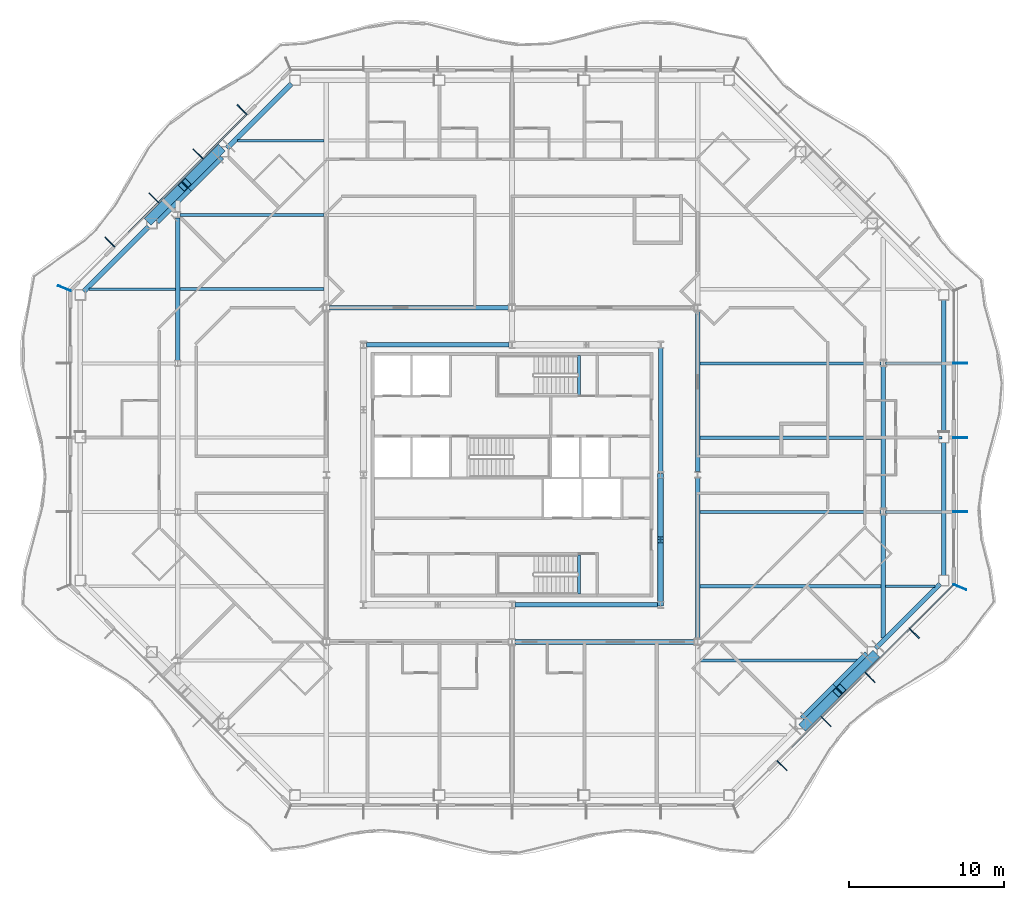
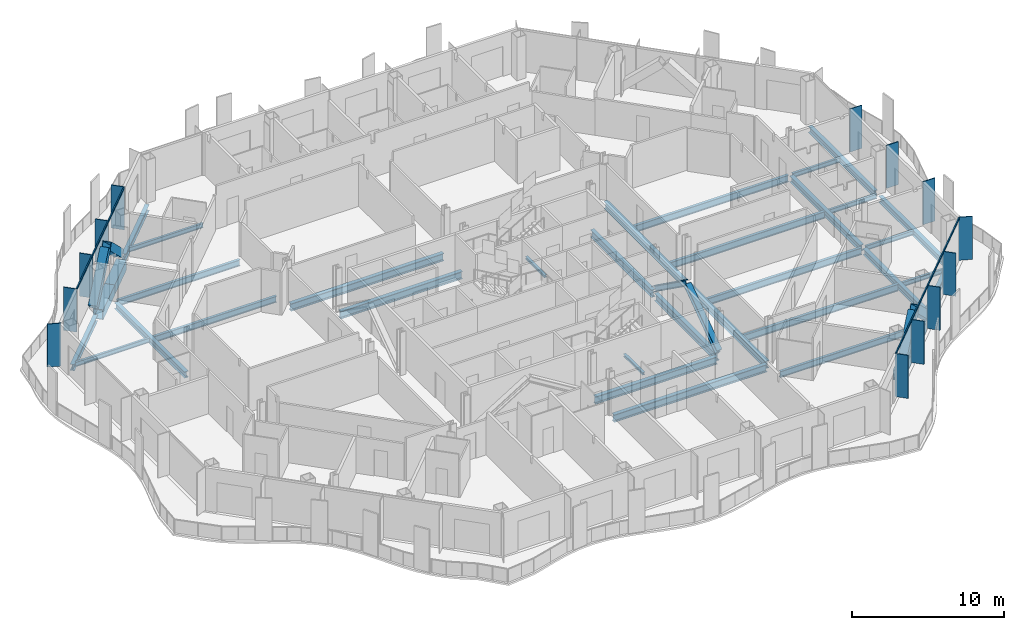
# One storey, part 4 of 21: 35 beams, 26 members, 4 elements without a shape of their own.
"""IFC4 building model written with IfcOpenShell, lengths in metres."""

from ifc_helpers import new_model, si_unit, direction, frame, origin, origin_2d, place, context, subcontext, project, spatial, rectangle, hollow_rectangle, i_section, extrude, material, material_profile, profile_set, type_object, element, aggregate, save


model = new_model("IFC4")

# Units and contexts
model_context = context("Model", 3, precision=1e-05, world=origin(), true_north=direction((0.0, 1.0)))
body_context = subcontext(model_context, "Body", "Model", "MODEL_VIEW")
ifc_project = project(units=[si_unit("LENGTHUNIT", "METRE"), si_unit("AREAUNIT", "SQUARE_METRE"), si_unit("VOLUMEUNIT", "CUBIC_METRE"), si_unit("PLANEANGLEUNIT", "RADIAN"), si_unit("MASSUNIT", "GRAM", prefix="KILO")], contexts=[model_context])

# Site, building, storey
site_placement = place(None, origin())
site = spatial("IfcSite", under=ifc_project, at=site_placement, CompositionType="ELEMENT")
building_placement = place(site_placement, origin())
building = spatial("IfcBuilding", under=site, at=building_placement, Name="Cairn Pilgrim Tower", CompositionType="ELEMENT")
storey_placement = place(building_placement, frame((0.0, 0.0, 143.39990234375)))
storey = spatial("IfcBuildingStorey", under=building, at=storey_placement, Name="L35", CompositionType="ELEMENT", Elevation=143.39990234375)

# Members
ifc_material_1 = material(Name="Structural steel S460M", Category="steel")
ifc_material_profile_1 = material_profile(ifc_material_1, hollow_rectangle(XDim=0.60009765625, YDim=0.60009765625, WallThickness=0.034912109375, at=origin_2d()), Name="BOX 600x600x35")
ifc_profile_set_1 = profile_set([ifc_material_profile_1], Name="Structural steel S460M")
member_type_1 = type_object("IfcMemberType", Name="BOX 600x600x35 BRACE", PredefinedType="BRACE", material=ifc_profile_set_1)
member_1_placement = place(storey_placement, frame((26.08837890625, -13.813720703125, 0.150146484375), z_axis=(0.53557713953, 0.53557713953, 0.652927450201), x_axis=(-0.707106781187, 0.707106781187, 0.0)))
element("IfcMember", 1, at=member_1_placement, inside=storey, type_object=member_type_1, Name="XB-SE2-SE3-1", PredefinedType="BRACE", context=body_context, shape_type="SweptSolid", body=[
    extrude(hollow_rectangle(XDim=0.60009765625, YDim=0.60009765625, WallThickness=0.034912109375, at=origin_2d()), origin(), (0.0, 0.0, 1.0), 4.0361328125),
])
for number, where, z_axis, x_axis, name in (
    (2, (30.613525390625, -9.288330078125, 0.150146484375), (-0.535533998665, -0.535594490476, 0.652948602913), (0.707146713802, -0.707066846316, 0.0), "XB-SE2-SE3-2"),
    (3, (-11.6884765625, 23.41357421875, 0.150146484375), (-0.535551349337, -0.535551349337, 0.652969757681), (0.707106781187, -0.707106781187, 0.0), "XB-NW2-NW3-1"),
    (4, (-16.213623046875, 18.888427734375, 0.150146484375), (0.535594490476, 0.535533998665, 0.652948602913), (-0.707066846316, 0.707146713802, 0.0), "XB-NW2-NW3-2"),
):
    element("IfcMember", number, at=place(storey_placement, frame(where, z_axis=z_axis, x_axis=x_axis)), inside=storey, type_object=member_type_1, Name=name, PredefinedType="BRACE", context=body_context, shape_type="SweptSolid", body=[
        extrude(hollow_rectangle(XDim=0.60009765625, YDim=0.60009765625, WallThickness=0.034912109375, at=origin_2d()), origin(), (0.0, 0.0, 1.0), 4.035888671875),
    ])

# Beams
ifc_material_2 = material(Name="Structural steel S355J2", Category="steel")
ifc_material_profile_2 = material_profile(ifc_material_2, hollow_rectangle(XDim=0.699951171875, YDim=0.800048828125, WallThickness=0.0400390625, at=origin_2d()), Name="BOX 700x800x40")
ifc_profile_set_2 = profile_set([ifc_material_profile_2], Name="Structural steel S355J2")
beam_type_1 = type_object("IfcBeamType", Name="BOX 700x800x40 RING GIRDER", PredefinedType="SPANDREL", material=ifc_profile_set_2)
for number, where, z_axis, x_axis, name in (
    (5, (26.07421875, -13.452880859375, -0.5498046875), (0.707106781187, 0.707106781187, 0.0), (-0.707106781187, 0.707106781187, 0.0), "RG2-SE2-SE3-1"),
    (6, (28.16357421875, -11.363525390625, -0.5498046875), (0.707106781187, 0.707106781187, 0.0), (-0.707106781187, 0.707106781187, 0.0), "RG2-SE2-SE3-2"),
    (7, (-11.67431640625, 23.052978515625, -0.5498046875), (-0.707106781187, -0.707106781187, 0.0), (0.707106781187, -0.707106781187, 0.0), "RG2-NW2-NW3-1"),
    (8, (-13.763671875, 20.963623046875, -0.5498046875), (-0.707106781187, -0.707106781187, 0.0), (0.707106781187, -0.707106781187, 0.0), "RG2-NW2-NW3-2"),
):
    element("IfcBeam", number, at=place(storey_placement, frame(where, z_axis=z_axis, x_axis=x_axis)), inside=storey, type_object=beam_type_1, Name=name, PredefinedType="SPANDREL", context=body_context, shape_type="SweptSolid", body=[
        extrude(hollow_rectangle(XDim=0.699951171875, YDim=0.800048828125, WallThickness=0.0400390625, at=origin_2d()), origin(), (0.0, 0.0, 1.0), 2.954833984375),
    ])

# Curtain wall, members
ifc_material_3 = material(Name="Aluminium alloy 6063-T6 bronze anodised with Bronze tinted laminated low-E glass 8+16+8.8", Category="aluminium")
curtain_wall_type_1 = type_object("IfcCurtainWallType", Name="CHAMFER CORNER CURTAIN WALL", PredefinedType="NOTDEFINED", material=ifc_material_3)
curtain_wall_1_placement = place(storey_placement, origin())
curtain_wall_1 = element("IfcCurtainWall", 9, at=curtain_wall_1_placement, inside=storey, type_object=curtain_wall_type_1, Name="Chamfer Corner Curtain Wall SE", PredefinedType="NOTDEFINED")
ifc_material_4 = material(Name="Aluminium alloy 6063-T6 bronze anodised", Category="aluminium")
ifc_material_profile_3 = material_profile(ifc_material_4, rectangle(XDim=0.89990234375, YDim=0.06005859375, at=origin_2d()), Name="FIN MULLION 60x900 BRONZE")
ifc_profile_set_3 = profile_set([ifc_material_profile_3], Name="Aluminium alloy 6063-T6 bronze anodised")
member_type_2 = type_object("IfcMemberType", Name="FIN MULLION 60x900 BRONZE", PredefinedType="MULLION", material=ifc_profile_set_3)
member_2_placement = place(storey_placement, frame((24.64404296875, -16.396240234375, 0.0), z_axis=(0.0, 0.0, 1.0), x_axis=(0.707106781187, -0.707106781187, 0.0)))
member_2 = element("IfcMember", 10, at=member_2_placement, type_object=member_type_2, Name="Fin mullion SE2", PredefinedType="MULLION", context=body_context, shape_type="SweptSolid", body=[
    extrude(rectangle(XDim=0.89990234375, YDim=0.06005859375, at=origin_2d()), origin(), (0.0, 0.0, 1.0), 3.4501953125),
])
member_3_placement = place(storey_placement, frame((27.494873046875, -13.545654296875, 0.0), z_axis=(0.0, 0.0, 1.0), x_axis=(0.707106781187, -0.707106781187, 0.0)))
member_3 = element("IfcMember", 11, at=member_3_placement, type_object=member_type_2, Name="Fin mullion SE3", PredefinedType="MULLION", context=body_context, shape_type="SweptSolid", body=[
    extrude(rectangle(XDim=0.89990234375, YDim=0.06005859375, at=origin_2d()), origin(), (0.0, 0.0, 1.0), 3.4501953125),
])
member_4_placement = place(storey_placement, frame((30.345458984375, -10.69482421875, 0.0), z_axis=(0.0, 0.0, 1.0), x_axis=(0.707106781187, -0.707106781187, 0.0)))
member_4 = element("IfcMember", 12, at=member_4_placement, type_object=member_type_2, Name="Fin mullion SE4", PredefinedType="MULLION", context=body_context, shape_type="SweptSolid", body=[
    extrude(rectangle(XDim=0.89990234375, YDim=0.06005859375, at=origin_2d()), origin(), (0.0, 0.0, 1.0), 3.4501953125),
])
member_5_placement = place(storey_placement, frame((33.1962890625, -7.84423828125, 0.0), z_axis=(0.0, 0.0, 1.0), x_axis=(0.707106781187, -0.707106781187, 0.0)))
member_5 = element("IfcMember", 13, at=member_5_placement, type_object=member_type_2, Name="Fin mullion SE5", PredefinedType="MULLION", context=body_context, shape_type="SweptSolid", body=[
    extrude(rectangle(XDim=0.89990234375, YDim=0.06005859375, at=origin_2d()), origin(), (0.0, 0.0, 1.0), 3.4501953125),
])

curtain_wall_type_2 = type_object("IfcCurtainWallType", Name="TOWER STICK CURTAIN WALL EW", PredefinedType="NOTDEFINED", material=ifc_material_3)
curtain_wall_2_placement = place(storey_placement, origin())
curtain_wall_2 = element("IfcCurtainWall", 14, at=curtain_wall_2_placement, inside=storey, type_object=curtain_wall_type_2, Name="Tower Stick Curtain Wall Ew E", PredefinedType="NOTDEFINED")
member_6_placement = place(storey_placement, frame((36.137939453125, -4.857177734375, 0.0), z_axis=(0.0, 0.0, 1.0), x_axis=(0.923879532511, -0.382683432365, 0.0)))
member_6 = element("IfcMember", 15, at=member_6_placement, type_object=member_type_2, Name="Fin mullion E1", PredefinedType="MULLION", context=body_context, shape_type="SweptSolid", body=[
    extrude(rectangle(XDim=0.89990234375, YDim=0.06005859375, at=origin_2d()), origin(), (0.0, 0.0, 1.0), 3.4501953125),
])
member_7_placement = place(storey_placement, frame((36.169921875, 0.0, 0.0), z_axis=(0.0, 0.0, 1.0), x_axis=(1.0, 0.0, 0.0)))
member_7 = element("IfcMember", 16, at=member_7_placement, type_object=member_type_2, Name="Fin mullion E2", PredefinedType="MULLION", context=body_context, shape_type="SweptSolid", body=[
    extrude(rectangle(XDim=0.89990234375, YDim=0.06005859375, at=origin_2d()), origin(), (0.0, 0.0, 1.0), 3.4501953125),
])
member_8_placement = place(storey_placement, frame((36.169921875, 4.800048828125, 0.0), z_axis=(0.0, 0.0, 1.0), x_axis=(1.0, 0.0, 0.0)))
member_8 = element("IfcMember", 17, at=member_8_placement, type_object=member_type_2, Name="Fin mullion E3", PredefinedType="MULLION", context=body_context, shape_type="SweptSolid", body=[
    extrude(rectangle(XDim=0.89990234375, YDim=0.06005859375, at=origin_2d()), origin(), (0.0, 0.0, 1.0), 3.4501953125),
])
member_9_placement = place(storey_placement, frame((36.169921875, 9.60009765625, 0.0), z_axis=(0.0, 0.0, 1.0), x_axis=(1.0, 0.0, 0.0)))
member_9 = element("IfcMember", 18, at=member_9_placement, type_object=member_type_2, Name="Fin mullion E4", PredefinedType="MULLION", context=body_context, shape_type="SweptSolid", body=[
    extrude(rectangle(XDim=0.89990234375, YDim=0.06005859375, at=origin_2d()), origin(), (0.0, 0.0, 1.0), 3.4501953125),
])
aggregate(curtain_wall_2, [member_6, member_7, member_8, member_9])

curtain_wall_3_placement = place(storey_placement, origin())
curtain_wall_3 = element("IfcCurtainWall", 19, at=curtain_wall_3_placement, inside=storey, type_object=curtain_wall_type_1, Name="Chamfer Corner Curtain Wall NW", PredefinedType="NOTDEFINED")
member_10_placement = place(storey_placement, frame((-10.244140625, 25.996337890625, 0.0), z_axis=(0.0, 0.0, 1.0), x_axis=(-0.707106781187, 0.707106781187, 0.0)))
member_10 = element("IfcMember", 20, at=member_10_placement, type_object=member_type_2, Name="Fin mullion NW2", PredefinedType="MULLION", context=body_context, shape_type="SweptSolid", body=[
    extrude(rectangle(XDim=0.89990234375, YDim=0.06005859375, at=origin_2d()), origin(), (0.0, 0.0, 1.0), 3.4501953125),
])
member_11_placement = place(storey_placement, frame((-13.094970703125, 23.1455078125, 0.0), z_axis=(0.0, 0.0, 1.0), x_axis=(-0.707106781187, 0.707106781187, 0.0)))
member_11 = element("IfcMember", 21, at=member_11_placement, type_object=member_type_2, Name="Fin mullion NW3", PredefinedType="MULLION", context=body_context, shape_type="SweptSolid", body=[
    extrude(rectangle(XDim=0.89990234375, YDim=0.06005859375, at=origin_2d()), origin(), (0.0, 0.0, 1.0), 3.4501953125),
])
member_12_placement = place(storey_placement, frame((-15.945556640625, 20.294921875, 0.0), z_axis=(0.0, 0.0, 1.0), x_axis=(-0.707106781187, 0.707106781187, 0.0)))
member_12 = element("IfcMember", 22, at=member_12_placement, type_object=member_type_2, Name="Fin mullion NW4", PredefinedType="MULLION", context=body_context, shape_type="SweptSolid", body=[
    extrude(rectangle(XDim=0.89990234375, YDim=0.06005859375, at=origin_2d()), origin(), (0.0, 0.0, 1.0), 3.4501953125),
])
member_13_placement = place(storey_placement, frame((-18.79638671875, 17.444091796875, 0.0), z_axis=(0.0, 0.0, 1.0), x_axis=(-0.707106781187, 0.707106781187, 0.0)))
member_13 = element("IfcMember", 23, at=member_13_placement, type_object=member_type_2, Name="Fin mullion NW5", PredefinedType="MULLION", context=body_context, shape_type="SweptSolid", body=[
    extrude(rectangle(XDim=0.89990234375, YDim=0.06005859375, at=origin_2d()), origin(), (0.0, 0.0, 1.0), 3.4501953125),
])

# Curtain wall, member
curtain_wall_4_placement = place(storey_placement, origin())
curtain_wall_4 = element("IfcCurtainWall", 24, at=curtain_wall_4_placement, inside=storey, type_object=curtain_wall_type_2, Name="Tower Stick Curtain Wall Ew W", PredefinedType="NOTDEFINED")
member_14_placement = place(storey_placement, frame((-21.738037109375, 14.457275390625, 0.0), z_axis=(0.0, 0.0, 1.0), x_axis=(-0.923879532511, 0.382683432365, 0.0)))
member_14 = element("IfcMember", 25, at=member_14_placement, type_object=member_type_2, Name="Fin mullion W1", PredefinedType="MULLION", context=body_context, shape_type="SweptSolid", body=[
    extrude(rectangle(XDim=0.89990234375, YDim=0.06005859375, at=origin_2d()), origin(), (0.0, 0.0, 1.0), 3.4501953125),
])
aggregate(curtain_wall_4, [member_14])

# Members
ifc_material_profile_4 = material_profile(ifc_material_1, i_section(OverallWidth=0.408935546875, OverallDepth=0.425048828125, WebThickness=0.03271484375, FlangeThickness=0.052490234375, FilletRadius=0.014892578125, at=origin_2d()), Name="HD 400x421")
ifc_profile_set_4 = profile_set([ifc_material_profile_4], Name="Structural steel S460M")
member_type_3 = type_object("IfcMemberType", Name="HD 400x421 BRACE", PredefinedType="BRACE", material=ifc_profile_set_4)
for number, where, z_axis, x_axis, name in (
    (26, (16.800048828125, -5.95751953125, 0.10009765625), (0.0, 0.814281054922, 0.58047081201), (-1.0, 0.0, 0.0), "KB-2A"),
    (27, (16.800048828125, 2.357666015625, 0.10009765625), (0.0, -0.814281054922, 0.58047081201), (1.0, 0.0, 0.0), "KB-2B"),
):
    element("IfcMember", number, at=place(storey_placement, frame(where, z_axis=z_axis, x_axis=x_axis)), inside=storey, type_object=member_type_3, Name=name, PredefinedType="BRACE", context=body_context, shape_type="SweptSolid", body=[
        extrude(i_section(OverallWidth=0.408935546875, OverallDepth=0.425048828125, WebThickness=0.03271484375, FlangeThickness=0.052490234375, FilletRadius=0.014892578125, at=origin_2d()), origin(), (0.0, 0.0, 1.0), 4.99755859375),
    ])

# Beams
ifc_material_profile_5 = material_profile(ifc_material_2, i_section(OverallWidth=0.300048828125, OverallDepth=0.5, WebThickness=0.014404296875, FlangeThickness=0.028076171875, FilletRadius=0.027099609375, at=origin_2d()), Name="HEB 500")
ifc_profile_set_5 = profile_set([ifc_material_profile_5], Name="Structural steel S355J2")
beam_type_2 = type_object("IfcBeamType", Name="HEB 500 GIRDER", PredefinedType="BEAM", material=ifc_profile_set_5)
beam_1_placement = place(storey_placement, frame((-14.39990234375, 9.799560546875, -0.39990234375), z_axis=(0.0, 1.0, 0.0), x_axis=(-1.0, 0.0, 0.0)))
element("IfcBeam", 28, at=beam_1_placement, inside=storey, type_object=beam_type_2, Name="PG1-3", PredefinedType="BEAM", context=body_context, shape_type="SweptSolid", body=[
    extrude(i_section(OverallWidth=0.300048828125, OverallDepth=0.5, WebThickness=0.014404296875, FlangeThickness=0.028076171875, FilletRadius=0.027099609375, at=origin_2d()), origin(), (0.0, 0.0, 1.0), 9.200927734375),
])
beam_2_placement = place(storey_placement, frame((31.199951171875, -8.14501953125, -0.39990234375), z_axis=(0.0, 1.0, 0.0), x_axis=(-1.0, 0.0, 0.0)))
element("IfcBeam", 29, at=beam_2_placement, inside=storey, type_object=beam_type_2, Name="PG5-1", PredefinedType="BEAM", context=body_context, shape_type="SweptSolid", body=[
    extrude(i_section(OverallWidth=0.300048828125, OverallDepth=0.5, WebThickness=0.014404296875, FlangeThickness=0.028076171875, FilletRadius=0.027099609375, at=origin_2d()), origin(), (0.0, 0.0, 1.0), 7.9404296875),
])
beam_3_placement = place(storey_placement, frame((31.199951171875, 0.20458984375, -0.39990234375), z_axis=(0.0, 1.0, 0.0), x_axis=(-1.0, 0.0, 0.0)))
element("IfcBeam", 30, at=beam_3_placement, inside=storey, type_object=beam_type_2, Name="PG5-2", PredefinedType="BEAM", context=body_context, shape_type="SweptSolid", body=[
    extrude(i_section(OverallWidth=0.300048828125, OverallDepth=0.5, WebThickness=0.014404296875, FlangeThickness=0.028076171875, FilletRadius=0.027099609375, at=origin_2d()), origin(), (0.0, 0.0, 1.0), 9.19091796875),
])
ifc_material_profile_6 = material_profile(ifc_material_2, i_section(OverallWidth=0.300048828125, OverallDepth=0.5, WebThickness=0.014404296875, FlangeThickness=0.028076171875, FilletRadius=0.027099609375, at=origin_2d()), Name="HEB 500")
ifc_profile_set_6 = profile_set([ifc_material_profile_6], Name="Structural steel S355J2")
beam_type_3 = type_object("IfcBeamType", Name="HEB 500 RING GIRDER", PredefinedType="SPANDREL", material=ifc_profile_set_6)
beam_4_placement = place(storey_placement, frame((30.698486328125, -8.82861328125, -0.39990234375), z_axis=(0.707106781187, 0.707106781187, 0.0), x_axis=(-0.707106781187, 0.707106781187, 0.0)))
element("IfcBeam", 31, at=beam_4_placement, inside=storey, type_object=beam_type_3, Name="RG2-SE3-E1", PredefinedType="SPANDREL", context=body_context, shape_type="SweptSolid", body=[
    extrude(i_section(OverallWidth=0.300048828125, OverallDepth=0.5, WebThickness=0.014404296875, FlangeThickness=0.028076171875, FilletRadius=0.027099609375, at=origin_2d()), origin(), (0.0, 0.0, 1.0), 5.90966796875),
])
beam_5_placement = place(storey_placement, frame((35.10009765625, -4.1123046875, -0.39990234375), z_axis=(0.0, 1.0, 0.0), x_axis=(-1.0, 0.0, 0.0)))
element("IfcBeam", 32, at=beam_5_placement, inside=storey, type_object=beam_type_3, Name="RG2-E1-E2", PredefinedType="SPANDREL", context=body_context, shape_type="SweptSolid", body=[
    extrude(i_section(OverallWidth=0.300048828125, OverallDepth=0.5, WebThickness=0.014404296875, FlangeThickness=0.028076171875, FilletRadius=0.027099609375, at=origin_2d()), origin(), (0.0, 0.0, 1.0), 8.597412109375),
])
beam_6_placement = place(storey_placement, frame((35.10009765625, 5.114990234375, -0.39990234375), z_axis=(0.0, 1.0, 0.0), x_axis=(-1.0, 0.0, 0.0)))
element("IfcBeam", 33, at=beam_6_placement, inside=storey, type_object=beam_type_3, Name="RG2-E2-NE1", PredefinedType="SPANDREL", context=body_context, shape_type="SweptSolid", body=[
    extrude(i_section(OverallWidth=0.300048828125, OverallDepth=0.5, WebThickness=0.014404296875, FlangeThickness=0.028076171875, FilletRadius=0.027099609375, at=origin_2d()), origin(), (0.0, 0.0, 1.0), 8.59716796875),
])
for number, where, z_axis, x_axis, name in (
    (34, (-7.0498046875, 27.67724609375, -0.39990234375), (-0.707127436591, -0.707086125179, 0.0), (0.707086125179, -0.707127436591, 0.0), "RG2-NW1-NW2"),
    (35, (-16.298583984375, 18.4287109375, -0.39990234375), (-0.707106781187, -0.707106781187, 0.0), (0.707106781187, -0.707106781187, 0.0), "RG2-NW3-W1"),
):
    element("IfcBeam", number, at=place(storey_placement, frame(where, z_axis=z_axis, x_axis=x_axis)), inside=storey, type_object=beam_type_3, Name=name, PredefinedType="SPANDREL", context=body_context, shape_type="SweptSolid", body=[
        extrude(i_section(OverallWidth=0.300048828125, OverallDepth=0.5, WebThickness=0.014404296875, FlangeThickness=0.028076171875, FilletRadius=0.027099609375, at=origin_2d()), origin(), (0.0, 0.0, 1.0), 5.90966796875),
    ])
ifc_material_profile_7 = material_profile(ifc_material_2, i_section(OverallWidth=0.300048828125, OverallDepth=0.60009765625, WebThickness=0.015380859375, FlangeThickness=0.030029296875, FilletRadius=0.027099609375, at=origin_2d()), Name="HEB 600")
ifc_profile_set_7 = profile_set([ifc_material_profile_7], Name="Structural steel S355J2")
beam_type_4 = type_object("IfcBeamType", Name="HEB 600 CORE BEAM", PredefinedType="BEAM", material=ifc_profile_set_7)
beam_7_placement = place(storey_placement, frame((7.390869140625, -6.0, -0.449951171875), z_axis=(1.0, 0.0, 0.0), x_axis=(0.0, 1.0, 0.0)))
element("IfcBeam", 36, at=beam_7_placement, inside=storey, type_object=beam_type_4, Name="CB-2", PredefinedType="BEAM", context=body_context, shape_type="SweptSolid", body=[
    extrude(i_section(OverallWidth=0.300048828125, OverallDepth=0.60009765625, WebThickness=0.015380859375, FlangeThickness=0.030029296875, FilletRadius=0.027099609375, at=origin_2d()), origin(), (0.0, 0.0, 1.0), 9.21826171875),
])
for number, where, z_axis, x_axis, name in (
    (37, (16.800048828125, -5.80908203125, -0.449951171875), (0.0, 1.0, 0.0), (-1.0, 0.0, 0.0), "CB-3"),
    (38, (16.800048828125, 2.5908203125, -0.449951171875), (0.0, 1.0, 0.0), (-1.0, 0.0, 0.0), "CB-4"),
):
    element("IfcBeam", number, at=place(storey_placement, frame(where, z_axis=z_axis, x_axis=x_axis)), inside=storey, type_object=beam_type_4, Name=name, PredefinedType="BEAM", context=body_context, shape_type="SweptSolid", body=[
        extrude(i_section(OverallWidth=0.300048828125, OverallDepth=0.60009765625, WebThickness=0.015380859375, FlangeThickness=0.030029296875, FilletRadius=0.027099609375, at=origin_2d()), origin(), (0.0, 0.0, 1.0), 8.018310546875),
    ])
beam_8_placement = place(storey_placement, frame((7.00927734375, 10.800048828125, -0.449951171875), z_axis=(-1.0, 0.0, 0.0), x_axis=(0.0, -1.0, 0.0)))
element("IfcBeam", 39, at=beam_8_placement, inside=storey, type_object=beam_type_4, Name="CB-6", PredefinedType="BEAM", context=body_context, shape_type="SweptSolid", body=[
    extrude(i_section(OverallWidth=0.300048828125, OverallDepth=0.60009765625, WebThickness=0.015380859375, FlangeThickness=0.030029296875, FilletRadius=0.027099609375, at=origin_2d()), origin(), (0.0, 0.0, 1.0), 9.218505859375),
])
ifc_material_profile_8 = material_profile(ifc_material_2, i_section(OverallWidth=0.300048828125, OverallDepth=0.60009765625, WebThickness=0.015380859375, FlangeThickness=0.030029296875, FilletRadius=0.027099609375, at=origin_2d()), Name="HEB 600")
ifc_profile_set_8 = profile_set([ifc_material_profile_8], Name="Structural steel S355J2")
beam_type_5 = type_object("IfcBeamType", Name="HEB 600 GIRDER", PredefinedType="BEAM", material=ifc_profile_set_8)
for number, where, z_axis, x_axis, name in (
    (40, (19.199951171875, -8.195556640625, -0.449951171875), (0.0, 1.0, 0.0), (-1.0, 0.0, 0.0), "PG4-2"),
    (41, (19.199951171875, 2.6044921875, -0.449951171875), (0.0, 1.0, 0.0), (-1.0, 0.0, 0.0), "PG4-3"),
):
    element("IfcBeam", number, at=place(storey_placement, frame(where, z_axis=z_axis, x_axis=x_axis)), inside=storey, type_object=beam_type_5, Name=name, PredefinedType="BEAM", context=body_context, shape_type="SweptSolid", body=[
        extrude(i_section(OverallWidth=0.300048828125, OverallDepth=0.60009765625, WebThickness=0.015380859375, FlangeThickness=0.030029296875, FilletRadius=0.027099609375, at=origin_2d()), origin(), (0.0, 0.0, 1.0), 10.39111328125),
    ])
ifc_material_profile_9 = material_profile(ifc_material_2, i_section(OverallWidth=0.300048828125, OverallDepth=0.60009765625, WebThickness=0.015380859375, FlangeThickness=0.030029296875, FilletRadius=0.027099609375, at=origin_2d()), Name="HEB 600")
ifc_profile_set_9 = profile_set([ifc_material_profile_9], Name="Structural steel S355J2")
beam_type_6 = type_object("IfcBeamType", Name="HEB 600 INNER GIRDER", PredefinedType="BEAM", material=ifc_profile_set_9)
for number, where, z_axis, x_axis, name in (
    (42, (7.404541015625, -8.39990234375, -0.449951171875), (1.0, 0.0, 0.0), (0.0, 1.0, 0.0), "IG1-2"),
    (43, (-4.595458984375, 13.199951171875, -0.449951171875), (1.0, 0.0, 0.0), (0.0, 1.0, 0.0), "IG2-1"),
):
    element("IfcBeam", number, at=place(storey_placement, frame(where, z_axis=z_axis, x_axis=x_axis)), inside=storey, type_object=beam_type_6, Name=name, PredefinedType="BEAM", context=body_context, shape_type="SweptSolid", body=[
        extrude(i_section(OverallWidth=0.300048828125, OverallDepth=0.60009765625, WebThickness=0.015380859375, FlangeThickness=0.030029296875, FilletRadius=0.027099609375, at=origin_2d()), origin(), (0.0, 0.0, 1.0), 11.591064453125),
    ])
ifc_material_profile_10 = material_profile(ifc_material_2, i_section(OverallWidth=0.169921875, OverallDepth=0.360107421875, WebThickness=0.008056640625, FlangeThickness=0.0126953125, FilletRadius=0.01806640625, at=origin_2d()), Name="IPE 360")
ifc_profile_set_10 = profile_set([ifc_material_profile_10], Name="Structural steel S355J2")
beam_type_7 = type_object("IfcBeamType", Name="IPE 360 SECONDARY BEAM", PredefinedType="JOIST", material=ifc_profile_set_10)
beam_9_placement = place(storey_placement, frame((31.35009765625, -4.800048828125, -0.329833984375), z_axis=(1.0, 0.0, 0.0), x_axis=(0.0, 1.0, 0.0)))
element("IfcBeam", 44, at=beam_9_placement, inside=storey, type_object=beam_type_7, Name="SB3-4", PredefinedType="JOIST", context=body_context, shape_type="SweptSolid", body=[
    extrude(i_section(OverallWidth=0.169921875, OverallDepth=0.360107421875, WebThickness=0.008056640625, FlangeThickness=0.0126953125, FilletRadius=0.01806640625, at=origin_2d()), origin(), (0.0, 0.0, 1.0), 3.195068359375),
])
for number, where, z_axis, x_axis, name in (
    (45, (31.35009765625, 0.0, -0.329833984375), (1.0, 0.0, 0.0), (0.0, 1.0, 0.0), "SB4-4"),
    (46, (31.35009765625, 4.800048828125, -0.329833984375), (1.0, 0.0, 0.0), (0.0, 1.0, 0.0), "SB5-4"),
    (47, (31.35009765625, 9.60009765625, -0.329833984375), (1.0, 0.0, 0.0), (0.0, 1.0, 0.0), "SB6-4"),
):
    element("IfcBeam", number, at=place(storey_placement, frame(where, z_axis=z_axis, x_axis=x_axis)), inside=storey, type_object=beam_type_7, Name=name, PredefinedType="JOIST", context=body_context, shape_type="SweptSolid", body=[
        extrude(i_section(OverallWidth=0.169921875, OverallDepth=0.360107421875, WebThickness=0.008056640625, FlangeThickness=0.0126953125, FilletRadius=0.01806640625, at=origin_2d()), origin(), (0.0, 0.0, 1.0), 3.6298828125),
    ])
beam_10_placement = place(storey_placement, frame((-20.14501953125, 14.39990234375, -0.329833984375), z_axis=(1.0, 0.0, 0.0), x_axis=(0.0, 1.0, 0.0)))
element("IfcBeam", 48, at=beam_10_placement, inside=storey, type_object=beam_type_7, Name="SB7-1", PredefinedType="JOIST", context=body_context, shape_type="SweptSolid", body=[
    extrude(i_section(OverallWidth=0.169921875, OverallDepth=0.360107421875, WebThickness=0.008056640625, FlangeThickness=0.0126953125, FilletRadius=0.01806640625, at=origin_2d()), origin(), (0.0, 0.0, 1.0), 5.594970703125),
])
beam_11_placement = place(storey_placement, frame((-10.545166015625, 24.0, -0.329833984375), z_axis=(1.0, 0.0, 0.0), x_axis=(0.0, 1.0, 0.0)))
element("IfcBeam", 49, at=beam_11_placement, inside=storey, type_object=beam_type_7, Name="SB9-1", PredefinedType="JOIST", context=body_context, shape_type="SweptSolid", body=[
    extrude(i_section(OverallWidth=0.169921875, OverallDepth=0.360107421875, WebThickness=0.008056640625, FlangeThickness=0.0126953125, FilletRadius=0.01806640625, at=origin_2d()), origin(), (0.0, 0.0, 1.0), 5.59521484375),
])
ifc_material_profile_11 = material_profile(ifc_material_2, i_section(OverallWidth=0.199951171875, OverallDepth=0.5, WebThickness=0.01025390625, FlangeThickness=0.01611328125, FilletRadius=0.02099609375, at=origin_2d()), Name="IPE 500")
ifc_profile_set_11 = profile_set([ifc_material_profile_11], Name="Structural steel S355J2")
beam_type_8 = type_object("IfcBeamType", Name="IPE 500 SECONDARY BEAM", PredefinedType="JOIST", material=ifc_profile_set_11)
beam_12_placement = place(storey_placement, frame((19.35009765625, -9.60009765625, -0.39990234375), z_axis=(1.0, 0.0, 0.0), x_axis=(0.0, 1.0, 0.0)))
element("IfcBeam", 50, at=beam_12_placement, inside=storey, type_object=beam_type_8, Name="SB2-2", PredefinedType="JOIST", context=body_context, shape_type="SweptSolid", body=[
    extrude(i_section(OverallWidth=0.199951171875, OverallDepth=0.5, WebThickness=0.01025390625, FlangeThickness=0.01611328125, FilletRadius=0.02099609375, at=origin_2d()), origin(), (0.0, 0.0, 1.0), 10.39501953125),
])
for number, where, z_axis, x_axis, name in (
    (51, (-14.25, 14.39990234375, -0.39990234375), (1.0, 0.0, 0.0), (0.0, 1.0, 0.0), "SB7-2"),
    (52, (-14.25, 19.199951171875, -0.39990234375), (1.0, 0.0, 0.0), (0.0, 1.0, 0.0), "SB8-1"),
):
    element("IfcBeam", number, at=place(storey_placement, frame(where, z_axis=z_axis, x_axis=x_axis)), inside=storey, type_object=beam_type_8, Name=name, PredefinedType="JOIST", context=body_context, shape_type="SweptSolid", body=[
        extrude(i_section(OverallWidth=0.199951171875, OverallDepth=0.5, WebThickness=0.01025390625, FlangeThickness=0.01611328125, FilletRadius=0.02099609375, at=origin_2d()), origin(), (0.0, 0.0, 1.0), 9.300048828125),
    ])
ifc_material_profile_12 = material_profile(ifc_material_2, i_section(OverallWidth=0.2099609375, OverallDepth=0.550048828125, WebThickness=0.010986328125, FlangeThickness=0.01708984375, FilletRadius=0.02392578125, at=origin_2d()), Name="IPE 550")
ifc_profile_set_12 = profile_set([ifc_material_profile_12], Name="Structural steel S355J2")
beam_type_9 = type_object("IfcBeamType", Name="IPE 550 SECONDARY BEAM", PredefinedType="JOIST", material=ifc_profile_set_12)
for number, where, z_axis, x_axis, name in (
    (53, (19.35009765625, -4.800048828125, -0.4248046875), (1.0, 0.0, 0.0), (0.0, 1.0, 0.0), "SB3-3"),
    (54, (19.35009765625, 0.0, -0.4248046875), (1.0, 0.0, 0.0), (0.0, 1.0, 0.0), "SB4-3"),
    (55, (19.35009765625, 4.800048828125, -0.4248046875), (1.0, 0.0, 0.0), (0.0, 1.0, 0.0), "SB5-3"),
    (56, (19.35009765625, 9.60009765625, -0.4248046875), (1.0, 0.0, 0.0), (0.0, 1.0, 0.0), "SB6-3"),
):
    element("IfcBeam", number, at=place(storey_placement, frame(where, z_axis=z_axis, x_axis=x_axis)), inside=storey, type_object=beam_type_9, Name=name, PredefinedType="JOIST", context=body_context, shape_type="SweptSolid", body=[
        extrude(i_section(OverallWidth=0.2099609375, OverallDepth=0.550048828125, WebThickness=0.010986328125, FlangeThickness=0.01708984375, FilletRadius=0.02392578125, at=origin_2d()), origin(), (0.0, 0.0, 1.0), 11.699951171875),
    ])
ifc_material_profile_13 = material_profile(ifc_material_2, i_section(OverallWidth=0.199951171875, OverallDepth=0.199951171875, WebThickness=0.009033203125, FlangeThickness=0.014892578125, FilletRadius=0.01806640625, at=origin_2d()), Name="HE 200 B")
ifc_profile_set_13 = profile_set([ifc_material_profile_13], Name="Structural steel S355J2")
beam_type_10 = type_object("IfcBeamType", Name="STAIR LANDING BEAM HE 200 B", PredefinedType="BEAM", material=ifc_profile_set_13)
for number, where, z_axis, x_axis, name in (
    (57, (11.5244140625, -2.77490234375, -0.25), (0.0, -1.0, 0.0), (1.0, 0.0, 0.0), "STAIR LANDING BEAM LD-HE200B"),
    (58, (11.5244140625, 10.10009765625, -0.25), (0.0, -1.0, 0.0), (1.0, 0.0, 0.0), "STAIR LANDING BEAM LD-HE200B"),
):
    element("IfcBeam", number, at=place(storey_placement, frame(where, z_axis=z_axis, x_axis=x_axis)), inside=storey, type_object=beam_type_10, Name=name, PredefinedType="BEAM", context=body_context, shape_type="SweptSolid", body=[
        extrude(i_section(OverallWidth=0.199951171875, OverallDepth=0.199951171875, WebThickness=0.009033203125, FlangeThickness=0.014892578125, FilletRadius=0.01806640625, at=origin_2d()), origin(), (0.0, 0.0, 1.0), 2.525146484375),
    ])

# Member
ifc_material_profile_14 = material_profile(ifc_material_4, rectangle(XDim=0.080078125, YDim=0.14990234375, at=origin_2d()), Name="TRANSOM 80x150 BRONZE")
ifc_profile_set_14 = profile_set([ifc_material_profile_14], Name="Aluminium alloy 6063-T6 bronze anodised")
member_type_4 = type_object("IfcMemberType", Name="TRANSOM 80x150 BRONZE", PredefinedType="USERDEFINED", material=ifc_profile_set_14)
member_15_placement = place(storey_placement, frame((24.368408203125, -16.078125, 3.375), z_axis=(0.707106781187, 0.707106781187, 0.0), x_axis=(-0.707106781187, 0.707106781187, 0.0)))
member_15 = element("IfcMember", 59, at=member_15_placement, type_object=member_type_4, Name="Transom SE2", ObjectType="TRANSOM", PredefinedType="USERDEFINED", context=body_context, shape_type="SweptSolid", body=[
    extrude(rectangle(XDim=0.080078125, YDim=0.14990234375, at=origin_2d()), origin(), (0.0, 0.0, 1.0), 3.9716796875),
])

member_16_placement = place(storey_placement, frame((27.218994140625, -13.227294921875, 3.375), z_axis=(0.70713751761, 0.707076043427, 0.0), x_axis=(-0.707076043427, 0.70713751761, 0.0)))
member_16 = element("IfcMember", 60, at=member_16_placement, type_object=member_type_4, Name="Transom SE3", ObjectType="TRANSOM", PredefinedType="USERDEFINED", context=body_context, shape_type="SweptSolid", body=[
    extrude(rectangle(XDim=0.080078125, YDim=0.14990234375, at=origin_2d()), origin(), (0.0, 0.0, 1.0), 3.971435546875),
])

member_17_placement = place(storey_placement, frame((30.06982421875, -10.376708984375, 3.375), z_axis=(0.707106781187, 0.707106781187, 0.0), x_axis=(-0.707106781187, 0.707106781187, 0.0)))
member_17 = element("IfcMember", 61, at=member_17_placement, type_object=member_type_4, Name="Transom SE4", ObjectType="TRANSOM", PredefinedType="USERDEFINED", context=body_context, shape_type="SweptSolid", body=[
    extrude(rectangle(XDim=0.080078125, YDim=0.14990234375, at=origin_2d()), origin(), (0.0, 0.0, 1.0), 3.9716796875),
])

member_18_placement = place(storey_placement, frame((32.92041015625, -7.52587890625, 3.375), z_axis=(0.707106781187, 0.707106781187, 0.0), x_axis=(-0.707106781187, 0.707106781187, 0.0)))
member_18 = element("IfcMember", 62, at=member_18_placement, type_object=member_type_4, Name="Transom SE5", ObjectType="TRANSOM", PredefinedType="USERDEFINED", context=body_context, shape_type="SweptSolid", body=[
    extrude(rectangle(XDim=0.080078125, YDim=0.14990234375, at=origin_2d()), origin(), (0.0, 0.0, 1.0), 3.961669921875),
])

aggregate(curtain_wall_1, [member_2, member_3, member_4, member_5, member_15, member_16, member_17, member_18])

member_19_placement = place(storey_placement, frame((-9.96826171875, 25.677978515625, 3.375), z_axis=(-0.70713751761, -0.707076043427, 0.0), x_axis=(0.707076043427, -0.70713751761, 0.0)))
member_19 = element("IfcMember", 63, at=member_19_placement, type_object=member_type_4, Name="Transom NW2", ObjectType="TRANSOM", PredefinedType="USERDEFINED", context=body_context, shape_type="SweptSolid", body=[
    extrude(rectangle(XDim=0.080078125, YDim=0.14990234375, at=origin_2d()), origin(), (0.0, 0.0, 1.0), 3.971435546875),
])

member_20_placement = place(storey_placement, frame((-12.819091796875, 22.827392578125, 3.375), z_axis=(-0.707106781187, -0.707106781187, 0.0), x_axis=(0.707106781187, -0.707106781187, 0.0)))
member_20 = element("IfcMember", 64, at=member_20_placement, type_object=member_type_4, Name="Transom NW3", ObjectType="TRANSOM", PredefinedType="USERDEFINED", context=body_context, shape_type="SweptSolid", body=[
    extrude(rectangle(XDim=0.080078125, YDim=0.14990234375, at=origin_2d()), origin(), (0.0, 0.0, 1.0), 3.9716796875),
])

member_21_placement = place(storey_placement, frame((-15.669677734375, 19.9765625, 3.375), z_axis=(-0.70713751761, -0.707076043427, 0.0), x_axis=(0.707076043427, -0.70713751761, 0.0)))
member_21 = element("IfcMember", 65, at=member_21_placement, type_object=member_type_4, Name="Transom NW4", ObjectType="TRANSOM", PredefinedType="USERDEFINED", context=body_context, shape_type="SweptSolid", body=[
    extrude(rectangle(XDim=0.080078125, YDim=0.14990234375, at=origin_2d()), origin(), (0.0, 0.0, 1.0), 3.971435546875),
])

aggregate(curtain_wall_3, [member_10, member_11, member_12, member_13, member_19, member_20, member_21])

save(model, "model.ifc")
